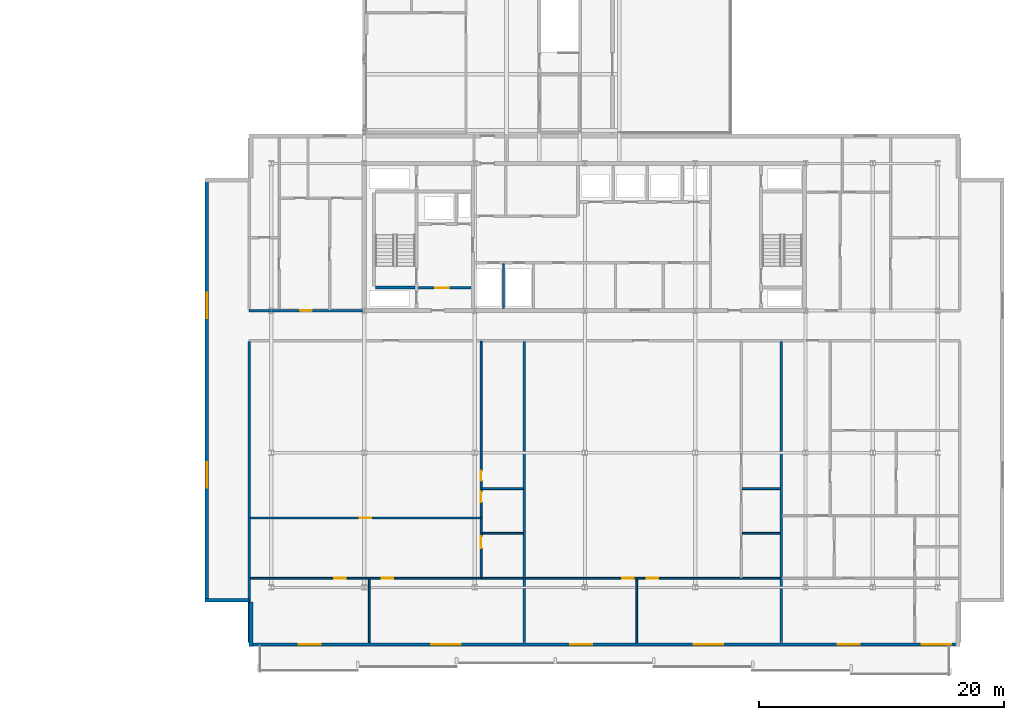
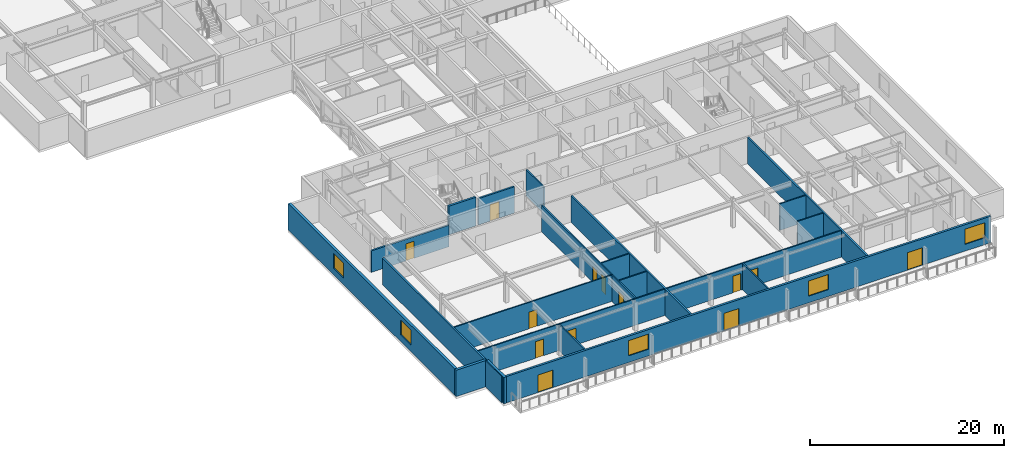
# One storey, part 11 of 28: 21 walls, 13 doors, 5 windows, 18 openings.
"""IFC4 building model written with IfcOpenShell, lengths in metres."""

from ifc_helpers import new_model, si_unit, direction, frame, frame_2d, origin, place, context, subcontext, project, spatial, rectangle, extrude, material, layer, layer_set, type_object, element, fill, save


model = new_model("IFC4")

# Units and contexts
model_context = context("Model", 3, precision=1e-05, world=origin(), true_north=direction((0.0, 1.0)))
body_context = subcontext(model_context, "Body", "Model", "MODEL_VIEW")
ifc_project = project(units=[si_unit("LENGTHUNIT", "METRE"), si_unit("AREAUNIT", "SQUARE_METRE"), si_unit("VOLUMEUNIT", "CUBIC_METRE"), si_unit("PLANEANGLEUNIT", "RADIAN"), si_unit("MASSUNIT", "GRAM", prefix="KILO")], contexts=[model_context])

# Site, building, storey
site_placement = place(None, origin())
site = spatial("IfcSite", under=ifc_project, at=site_placement, CompositionType="ELEMENT")
building_placement = place(site_placement, origin())
building = spatial("IfcBuilding", under=site, at=building_placement, Name="Korimba Cascade Residences", CompositionType="ELEMENT")
storey_placement = place(building_placement, frame((0.0, 0.0, 153.699951171875)))
storey = spatial("IfcBuildingStorey", under=building, at=storey_placement, Name="L44", CompositionType="ELEMENT", Elevation=153.699951171875)

# Wall, openings, doors, windows
ifc_material_1 = material(Name="Precast concrete C40/50", Category="concrete")
ifc_layer_1 = layer(ifc_material_1, 0.25)
ifc_layer_set_1 = layer_set([ifc_layer_1], Name="Precast concrete C40/50")
wall_type_1 = type_object("IfcWallType", Name="EW-LOG-250", PredefinedType="STANDARD", material=ifc_layer_set_1)
wall_1_placement = place(storey_placement, frame((72.699951171875, -8.85009765625, 0.0), z_axis=(0.0, 0.0, 1.0), x_axis=(1.0, 0.0, 0.0)))
wall_1 = element("IfcWall", 1, at=wall_1_placement, inside=storey, type_object=wall_type_1, Name="L44 T2 Perimeter Stone Wall E00", PredefinedType="STANDARD", context=body_context, shape_type="SweptSolid", body=[
    extrude(rectangle(XDim=58.0, YDim=0.25, at=frame_2d((29.0, 0.0))), origin(), (0.0, 0.0, 1.0), 3.320068359375),
])
opening_1_placement = place(wall_1_placement, frame((4.057861328125, 0.0, 0.0)))
opening_1 = element("IfcOpeningElement", 2, at=opening_1_placement, cuts=wall_1, Name="Opening D-LG1", PredefinedType="OPENING", context=body_context, shape_type="SweptSolid", body=[
    extrude(rectangle(XDim=1.800048828125, YDim=2.199951171875, at=frame_2d((0.89990234375, 1.10009765625))), frame((0.0, 0.135009765625, 0.0), z_axis=(0.0, -1.0, 0.0), x_axis=(1.0, 0.0, 0.0)), (0.0, 0.0, 1.0), 0.27001953125),
])
opening_2_placement = place(wall_1_placement, frame((14.853515625, 0.0, 0.85009765625)))
opening_2 = element("IfcOpeningElement", 3, at=opening_2_placement, cuts=wall_1, Name="Opening W-01", PredefinedType="OPENING", context=body_context, shape_type="SweptSolid", body=[
    extrude(rectangle(XDim=2.39990234375, YDim=1.89990234375, at=frame_2d((1.199951171875, 0.949951171875))), frame((0.0, 0.135009765625, 0.0), z_axis=(0.0, -1.0, 0.0), x_axis=(1.0, 0.0, 0.0)), (0.0, 0.0, 1.0), 0.27001953125),
])
opening_3_placement = place(wall_1_placement, frame((26.190673828125, 0.0, 0.0)))
opening_3 = element("IfcOpeningElement", 4, at=opening_3_placement, cuts=wall_1, Name="Opening D-LG1", PredefinedType="OPENING", context=body_context, shape_type="SweptSolid", body=[
    extrude(rectangle(XDim=1.800048828125, YDim=2.199951171875, at=frame_2d((0.89990234375, 1.10009765625))), frame((0.0, 0.135009765625, 0.0), z_axis=(0.0, -1.0, 0.0), x_axis=(1.0, 0.0, 0.0)), (0.0, 0.0, 1.0), 0.27001953125),
])
opening_4_placement = place(wall_1_placement, frame((36.27392578125, 0.0, 0.85009765625)))
opening_4 = element("IfcOpeningElement", 5, at=opening_4_placement, cuts=wall_1, Name="Opening W-01", PredefinedType="OPENING", context=body_context, shape_type="SweptSolid", body=[
    extrude(rectangle(XDim=2.39990234375, YDim=1.89990234375, at=frame_2d((1.199951171875, 0.949951171875))), frame((0.0, 0.135009765625, 0.0), z_axis=(0.0, -1.0, 0.0), x_axis=(1.0, 0.0, 0.0)), (0.0, 0.0, 1.0), 0.27001953125),
])
opening_5_placement = place(wall_1_placement, frame((48.0390625, 0.0, 0.0)))
opening_5 = element("IfcOpeningElement", 6, at=opening_5_placement, cuts=wall_1, Name="Opening D-LG1", PredefinedType="OPENING", context=body_context, shape_type="SweptSolid", body=[
    extrude(rectangle(XDim=1.800048828125, YDim=2.199951171875, at=frame_2d((0.89990234375, 1.10009765625))), frame((0.0, 0.135009765625, 0.0), z_axis=(0.0, -1.0, 0.0), x_axis=(1.0, 0.0, 0.0)), (0.0, 0.0, 1.0), 0.27001953125),
])
opening_6_placement = place(wall_1_placement, frame((54.89990234375, 0.0, 0.85009765625)))
opening_6 = element("IfcOpeningElement", 7, at=opening_6_placement, cuts=wall_1, Name="Opening W-01", PredefinedType="OPENING", context=body_context, shape_type="SweptSolid", body=[
    extrude(rectangle(XDim=2.39990234375, YDim=1.89990234375, at=frame_2d((1.199951171875, 0.949951171875))), frame((0.0, 0.135009765625, 0.0), z_axis=(0.0, -1.0, 0.0), x_axis=(1.0, 0.0, 0.0)), (0.0, 0.0, 1.0), 0.27001953125),
])
ifc_material_2 = material(Name="Glazed Aluminium Loggia Sliding Door", Category="aluminium")
door_type_1 = type_object("IfcDoorType", Name="DR-EXT-LOG", OperationType="NOTDEFINED", PredefinedType="DOOR", material=ifc_material_2)
door_1_placement = place(opening_1_placement, origin())
door_1 = element("IfcDoor", 8, at=door_1_placement, inside=storey, type_object=door_type_1, Name="L44 T2 Loggia Sliding Door 3", OperationType="SLIDING_TO_RIGHT", OverallHeight=2.199951171875, OverallWidth=1.800048828125, PredefinedType="DOOR", context=body_context, shape_type="SweptSolid", body=[
    extrude(rectangle(XDim=1.800048828125, YDim=2.199951171875, at=frame_2d((0.89990234375, 1.10009765625))), frame((0.0, 0.02490234375, 0.0), z_axis=(0.0, -1.0, 0.0), x_axis=(1.0, 0.0, 0.0)), (0.0, 0.0, 1.0), 0.050048828125),
])
fill(opening_1, door_1)
door_2_placement = place(opening_3_placement, origin())
door_2 = element("IfcDoor", 9, at=door_2_placement, inside=storey, type_object=door_type_1, Name="L44 T2 Loggia Sliding Door 5", OperationType="SLIDING_TO_RIGHT", OverallHeight=2.199951171875, OverallWidth=1.800048828125, PredefinedType="DOOR", context=body_context, shape_type="SweptSolid", body=[
    extrude(rectangle(XDim=1.800048828125, YDim=2.199951171875, at=frame_2d((0.89990234375, 1.10009765625))), frame((0.0, 0.02490234375, 0.0), z_axis=(0.0, -1.0, 0.0), x_axis=(1.0, 0.0, 0.0)), (0.0, 0.0, 1.0), 0.050048828125),
])
fill(opening_3, door_2)
door_3_placement = place(opening_5_placement, origin())
door_3 = element("IfcDoor", 10, at=door_3_placement, inside=storey, type_object=door_type_1, Name="L44 T2 Loggia Sliding Door 7", OperationType="SLIDING_TO_RIGHT", OverallHeight=2.199951171875, OverallWidth=1.800048828125, PredefinedType="DOOR", context=body_context, shape_type="SweptSolid", body=[
    extrude(rectangle(XDim=1.800048828125, YDim=2.199951171875, at=frame_2d((0.89990234375, 1.10009765625))), frame((0.0, 0.02490234375, 0.0), z_axis=(0.0, -1.0, 0.0), x_axis=(1.0, 0.0, 0.0)), (0.0, 0.0, 1.0), 0.050048828125),
])
fill(opening_5, door_3)
ifc_material_3 = material(Name="Double-Glazed Aluminium Window", Category="aluminium")
window_type_1 = type_object("IfcWindowType", Name="WIN-RES-2400", PartitioningType="DOUBLE_PANEL_VERTICAL", PredefinedType="WINDOW", material=ifc_material_3)
window_1_placement = place(opening_2_placement, origin())
window_1 = element("IfcWindow", 11, at=window_1_placement, inside=storey, type_object=window_type_1, Name="L44 T2 South Facade Window 4", OverallHeight=1.89990234375, OverallWidth=2.39990234375, PartitioningType="DOUBLE_PANEL_VERTICAL", PredefinedType="WINDOW", context=body_context, shape_type="SweptSolid", body=[
    extrude(rectangle(XDim=2.39990234375, YDim=1.89990234375, at=frame_2d((1.199951171875, 0.949951171875))), frame((0.0, 0.030029296875, 0.0), z_axis=(0.0, -1.0, 0.0), x_axis=(1.0, 0.0, 0.0)), (0.0, 0.0, 1.0), 0.06005859375),
])
fill(opening_2, window_1)
window_2_placement = place(opening_4_placement, origin())
window_2 = element("IfcWindow", 12, at=window_2_placement, inside=storey, type_object=window_type_1, Name="L44 T2 South Facade Window 6", OverallHeight=1.89990234375, OverallWidth=2.39990234375, PartitioningType="DOUBLE_PANEL_VERTICAL", PredefinedType="WINDOW", context=body_context, shape_type="SweptSolid", body=[
    extrude(rectangle(XDim=2.39990234375, YDim=1.89990234375, at=frame_2d((1.199951171875, 0.949951171875))), frame((0.0, 0.030029296875, 0.0), z_axis=(0.0, -1.0, 0.0), x_axis=(1.0, 0.0, 0.0)), (0.0, 0.0, 1.0), 0.06005859375),
])
fill(opening_4, window_2)
window_3_placement = place(opening_6_placement, origin())
window_3 = element("IfcWindow", 13, at=window_3_placement, inside=storey, type_object=window_type_1, Name="L44 T2 South Facade Window 8", OverallHeight=1.89990234375, OverallWidth=2.39990234375, PartitioningType="DOUBLE_PANEL_VERTICAL", PredefinedType="WINDOW", context=body_context, shape_type="SweptSolid", body=[
    extrude(rectangle(XDim=2.39990234375, YDim=1.89990234375, at=frame_2d((1.199951171875, 0.949951171875))), frame((0.0, 0.030029296875, 0.0), z_axis=(0.0, -1.0, 0.0), x_axis=(1.0, 0.0, 0.0)), (0.0, 0.0, 1.0), 0.06005859375),
])
fill(opening_6, window_3)

# Wall, openings, windows
ifc_layer_2 = layer(ifc_material_1, 0.300048828125)
ifc_layer_set_2 = layer_set([ifc_layer_2], Name="Precast concrete C40/50")
wall_type_2 = type_object("IfcWallType", Name="EW-STONE-300", PredefinedType="STANDARD", material=ifc_layer_set_2)
wall_2_placement = place(storey_placement, frame((69.25, 29.199951171875, 0.0), z_axis=(0.0, 0.0, 1.0), x_axis=(0.0, -1.0, 0.0)))
wall_2 = element("IfcWall", 14, at=wall_2_placement, inside=storey, type_object=wall_type_2, Name="L44 T2 Perimeter Stone Wall E09", PredefinedType="STANDARD", context=body_context, shape_type="SweptSolid", body=[
    extrude(rectangle(XDim=34.599853515625, YDim=0.300048828125, at=frame_2d((17.2998046875, 0.0))), origin(), (0.0, 0.0, 1.0), 3.320068359375),
])
opening_7_placement = place(wall_2_placement, frame((9.330078125, 0.0, 0.85009765625)))
opening_7 = element("IfcOpeningElement", 15, at=opening_7_placement, cuts=wall_2, Name="Opening W-03", PredefinedType="OPENING", context=body_context, shape_type="SweptSolid", body=[
    extrude(rectangle(XDim=2.10009765625, YDim=1.85009765625, at=frame_2d((1.050048828125, 0.925048828125))), frame((0.0, 0.16015625, 0.0), z_axis=(0.0, -1.0, 0.0), x_axis=(1.0, 0.0, 0.0)), (0.0, 0.0, 1.0), 0.320068359375),
])
opening_8_placement = place(wall_2_placement, frame((23.169921875, 0.0, 0.85009765625)))
opening_8 = element("IfcOpeningElement", 16, at=opening_8_placement, cuts=wall_2, Name="Opening W-03", PredefinedType="OPENING", context=body_context, shape_type="SweptSolid", body=[
    extrude(rectangle(XDim=2.10009765625, YDim=1.85009765625, at=frame_2d((1.050048828125, 0.925048828125))), frame((0.0, 0.16015625, 0.0), z_axis=(0.0, -1.0, 0.0), x_axis=(1.0, 0.0, 0.0)), (0.0, 0.0, 1.0), 0.320068359375),
])
window_type_2 = type_object("IfcWindowType", Name="WIN-CRN-2100", PartitioningType="DOUBLE_PANEL_HORIZONTAL", PredefinedType="WINDOW", material=ifc_material_3)
window_4_placement = place(opening_7_placement, origin())
window_4 = element("IfcWindow", 17, at=window_4_placement, inside=storey, type_object=window_type_2, Name="L44 T2 End View Window 9.1", OverallHeight=1.85009765625, OverallWidth=2.10009765625, PartitioningType="DOUBLE_PANEL_HORIZONTAL", PredefinedType="WINDOW", context=body_context, shape_type="SweptSolid", body=[
    extrude(rectangle(XDim=2.10009765625, YDim=1.85009765625, at=frame_2d((1.050048828125, 0.925048828125))), frame((0.0, 0.030029296875, 0.0), z_axis=(0.0, -1.0, 0.0), x_axis=(1.0, 0.0, 0.0)), (0.0, 0.0, 1.0), 0.06005859375),
])
fill(opening_7, window_4)
window_5_placement = place(opening_8_placement, origin())
window_5 = element("IfcWindow", 18, at=window_5_placement, inside=storey, type_object=window_type_2, Name="L44 T2 End View Window 9.2", OverallHeight=1.85009765625, OverallWidth=2.10009765625, PartitioningType="DOUBLE_PANEL_HORIZONTAL", PredefinedType="WINDOW", context=body_context, shape_type="SweptSolid", body=[
    extrude(rectangle(XDim=2.10009765625, YDim=1.85009765625, at=frame_2d((1.050048828125, 0.925048828125))), frame((0.0, 0.030029296875, 0.0), z_axis=(0.0, -1.0, 0.0), x_axis=(1.0, 0.0, 0.0)), (0.0, 0.0, 1.0), 0.06005859375),
])
fill(opening_8, window_5)

# Walls
wall_3_placement = place(storey_placement, frame((69.10009765625, -5.25, 0.0), z_axis=(0.0, 0.0, 1.0), x_axis=(1.0, 0.0, 0.0)))
element("IfcWall", 19, at=wall_3_placement, inside=storey, type_object=wall_type_2, Name="L44 T2 Perimeter Stone Wall E10", PredefinedType="STANDARD", context=body_context, shape_type="SweptSolid", body=[
    extrude(rectangle(XDim=3.599853515625, YDim=0.300048828125, at=frame_2d((1.7998046875, 0.0))), origin(), (0.0, 0.0, 1.0), 3.320068359375),
])
wall_4_placement = place(storey_placement, frame((72.85009765625, -5.39990234375, 0.0), z_axis=(0.0, 0.0, 1.0), x_axis=(0.0, -1.0, 0.0)))
element("IfcWall", 20, at=wall_4_placement, inside=storey, type_object=wall_type_2, Name="L44 T2 Perimeter Stone Wall E11", PredefinedType="STANDARD", context=body_context, shape_type="SweptSolid", body=[
    extrude(rectangle(XDim=3.60009765625, YDim=0.300048828125, at=frame_2d((1.800048828125, 0.0))), origin(), (0.0, 0.0, 1.0), 3.320068359375),
])

# Wall, opening, door
ifc_layer_3 = layer(ifc_material_1, 0.199951171875)
ifc_layer_set_3 = layer_set([ifc_layer_3], Name="Precast concrete C40/50")
wall_type_3 = type_object("IfcWallType", Name="WAL-IT-200", PredefinedType="PARTITIONING", material=ifc_layer_set_3)
wall_5_placement = place(storey_placement, frame((72.699951171875, 18.39990234375, 0.0), z_axis=(0.0, 0.0, 1.0), x_axis=(1.0, 0.0, 0.0)))
wall_5 = element("IfcWall", 21, at=wall_5_placement, inside=storey, type_object=wall_type_3, Name="L44 Partition Wall WAL-L44-T2-FW-S", PredefinedType="PARTITIONING", context=body_context, shape_type="SweptSolid", body=[
    extrude(rectangle(XDim=9.25, YDim=0.199951171875, at=frame_2d((4.625, 0.0))), origin(), (0.0, 0.0, 1.0), 2.707763671875),
])
opening_9_placement = place(wall_5_placement, frame((4.14990234375, 0.0, 0.0)))
opening_9 = element("IfcOpeningElement", 22, at=opening_9_placement, cuts=wall_5, Name="Opening D-UN1", PredefinedType="OPENING", context=body_context, shape_type="SweptSolid", body=[
    extrude(rectangle(XDim=0.949951171875, YDim=2.14990234375, at=frame_2d((0.47509765625, 1.074951171875))), frame((0.0, 0.10986328125, 0.0), z_axis=(0.0, -1.0, 0.0), x_axis=(1.0, 0.0, 0.0)), (0.0, 0.0, 1.0), 0.219970703125),
])
ifc_material_4 = material(Name="Fire-Rated Hardwood Apartment Entrance Door", Category="wood")
door_type_2 = type_object("IfcDoorType", Name="DR-FD60-950", OperationType="NOTDEFINED", PredefinedType="DOOR", material=ifc_material_4)
door_4_placement = place(opening_9_placement, origin())
door_4 = element("IfcDoor", 23, at=door_4_placement, inside=storey, type_object=door_type_2, Name="L44-T2-FW Entrance Door", OperationType="SINGLE_SWING_RIGHT", OverallHeight=2.14990234375, OverallWidth=0.949951171875, PredefinedType="DOOR", context=body_context, shape_type="SweptSolid", body=[
    extrude(rectangle(XDim=0.949951171875, YDim=2.14990234375, at=frame_2d((0.47509765625, 1.074951171875))), frame((0.0, 0.02490234375, 0.0), z_axis=(0.0, -1.0, 0.0), x_axis=(1.0, 0.0, 0.0)), (0.0, 0.0, 1.0), 0.050048828125),
])
fill(opening_9, door_4)

# Walls
for number, where, z_axis, x_axis, name in (
    (24, (72.699951171875, -8.699951171875, 0.0), (0.0, 0.0, 1.0), (0.0, 1.0, 0.0), "L44 Partition Wall WAL-L44-T2-BNDWL"),
    (25, (95.131591796875, -8.699951171875, 0.0), (0.0, 0.0, 1.0), (0.0, 1.0, 0.0), "L44 Partition Wall WAL-L44-T2-DEM-1"),
    (26, (116.137939453125, -8.699951171875, 0.0), (0.0, 0.0, 1.0), (0.0, 1.0, 0.0), "L44 Partition Wall WAL-L44-T2-DEM-2"),
):
    element("IfcWall", number, at=place(storey_placement, frame(where, z_axis=z_axis, x_axis=x_axis)), inside=storey, type_object=wall_type_3, Name=name, PredefinedType="PARTITIONING", context=body_context, shape_type="SweptSolid", body=[
        extrude(rectangle(XDim=24.570068359375, YDim=0.199951171875, at=frame_2d((12.28515625, 0.0))), origin(), (0.0, 0.0, 1.0), 3.320068359375),
    ])
ifc_material_5 = material(Name="Insulated Acoustic Stud Partition", Category="gypsum")
ifc_layer_4 = layer(ifc_material_5, 0.14990234375)
ifc_layer_set_4 = layer_set([ifc_layer_4], Name="Insulated Acoustic Stud Partition")
wall_type_4 = type_object("IfcWallType", Name="WAL-PART-150", PredefinedType="PARTITIONING", material=ifc_layer_set_4)
wall_6_placement = place(storey_placement, frame((93.449951171875, 18.60009765625, 0.0), z_axis=(0.0, 0.0, 1.0), x_axis=(0.0, 1.0, 0.0)))
element("IfcWall", 27, at=wall_6_placement, inside=storey, type_object=wall_type_4, Name="L44 Partition Wall CW-L44-T2-ERDIV", PredefinedType="PARTITIONING", context=body_context, shape_type="SweptSolid", body=[
    extrude(rectangle(XDim=3.599853515625, YDim=0.14990234375, at=frame_2d((1.7998046875, 0.0))), origin(), (0.0, 0.0, 1.0), 3.320068359375),
])

# Wall, opening, door
wall_7_placement = place(storey_placement, frame((72.780029296875, 1.469970703125, 0.0), z_axis=(0.0, 0.0, 1.0), x_axis=(1.0, 0.0, 0.0)))
wall_7 = element("IfcWall", 28, at=wall_7_placement, inside=storey, type_object=wall_type_4, Name="L44 Partition Wall WAL-L44-T2-U01-CARH", PredefinedType="PARTITIONING", context=body_context, shape_type="SweptSolid", body=[
    extrude(rectangle(XDim=18.8115234375, YDim=0.14990234375, at=frame_2d((9.40576171875, 0.0))), origin(), (0.0, 0.0, 1.0), 3.320068359375),
])
opening_10_placement = place(wall_7_placement, frame((8.935791015625, 0.0, 0.0)))
opening_10 = element("IfcOpeningElement", 29, at=opening_10_placement, cuts=wall_7, Name="Opening D-IN0", PredefinedType="OPENING", context=body_context, shape_type="SweptSolid", body=[
    extrude(rectangle(XDim=0.93994140625, YDim=2.10009765625, at=frame_2d((0.469970703125, 1.050048828125))), frame((0.0, 0.0849609375, 0.0), z_axis=(0.0, -1.0, 0.0), x_axis=(1.0, 0.0, 0.0)), (0.0, 0.0, 1.0), 0.169921875),
])
ifc_material_6 = material(Name="Acoustic Timber Living Archway Door", Category="wood")
door_type_3 = type_object("IfcDoorType", Name="DR-INT-950", OperationType="NOTDEFINED", PredefinedType="DOOR", material=ifc_material_6)
door_5_placement = place(opening_10_placement, origin())
door_5 = element("IfcDoor", 30, at=door_5_placement, inside=storey, type_object=door_type_3, Name="L44-T2-U01 Wellness Clinic Foyer Door", OperationType="SINGLE_SWING_LEFT", OverallHeight=2.10009765625, OverallWidth=0.93994140625, PredefinedType="DOOR", context=body_context, shape_type="SweptSolid", body=[
    extrude(rectangle(XDim=0.93994140625, YDim=2.10009765625, at=frame_2d((0.469970703125, 1.050048828125))), frame((0.0, 0.02490234375, 0.0), z_axis=(0.0, -1.0, 0.0), x_axis=(1.0, 0.0, 0.0)), (0.0, 0.0, 1.0), 0.050048828125),
])
fill(opening_10, door_5)

# Walls
for number, where, z_axis, x_axis, name in (
    (31, (91.69140625, 0.219970703125, 0.0), (0.0, 0.0, 1.0), (1.0, 0.0, 0.0), "L44 Partition Wall WAL-L44-T2-U01-WCH"),
    (32, (91.69140625, 3.8701171875, 0.0), (0.0, 0.0, 1.0), (1.0, 0.0, 0.0), "L44 Partition Wall WAL-L44-T2-U01-WCH2"),
):
    element("IfcWall", number, at=place(storey_placement, frame(where, z_axis=z_axis, x_axis=x_axis)), inside=storey, type_object=wall_type_4, Name=name, PredefinedType="PARTITIONING", context=body_context, shape_type="SweptSolid", body=[
        extrude(rectangle(XDim=3.360107421875, YDim=0.14990234375, at=frame_2d((1.68017578125, 0.0))), origin(), (0.0, 0.0, 1.0), 3.320068359375),
    ])

# Wall, openings, doors
wall_8_placement = place(storey_placement, frame((91.631591796875, -3.389892578125, 0.0), z_axis=(0.0, 0.0, 1.0), x_axis=(0.0, 1.0, 0.0)))
wall_8 = element("IfcWall", 33, at=wall_8_placement, inside=storey, type_object=wall_type_4, Name="L44 Partition Wall WAL-L44-T2-U01-WCV", PredefinedType="PARTITIONING", context=body_context, shape_type="SweptSolid", body=[
    extrude(rectangle(XDim=19.27978515625, YDim=0.14990234375, at=frame_2d((9.639892578125, 0.0))), origin(), (0.0, 0.0, 1.0), 3.320068359375),
])
opening_11_placement = place(wall_8_placement, frame((2.406005859375, 0.0, 0.0)))
opening_11 = element("IfcOpeningElement", 34, at=opening_11_placement, cuts=wall_8, Name="Opening D-AC1", PredefinedType="OPENING", context=body_context, shape_type="SweptSolid", body=[
    extrude(rectangle(XDim=0.9599609375, YDim=2.10009765625, at=frame_2d((0.47998046875, 1.050048828125))), frame((0.0, 0.0849609375, 0.0), z_axis=(0.0, -1.0, 0.0), x_axis=(1.0, 0.0, 0.0)), (0.0, 0.0, 1.0), 0.169921875),
])
opening_12_placement = place(wall_8_placement, frame((6.132568359375, 0.0, 0.0)))
opening_12 = element("IfcOpeningElement", 35, at=opening_12_placement, cuts=wall_8, Name="Opening D-IN2", PredefinedType="OPENING", context=body_context, shape_type="SweptSolid", body=[
    extrude(rectangle(XDim=0.8798828125, YDim=2.06005859375, at=frame_2d((0.43994140625, 1.030029296875))), frame((0.0, 0.0849609375, 0.0), z_axis=(0.0, -1.0, 0.0), x_axis=(1.0, 0.0, 0.0)), (0.0, 0.0, 1.0), 0.169921875),
])
opening_13_placement = place(wall_8_placement, frame((7.888916015625, 0.0, 0.0)))
opening_13 = element("IfcOpeningElement", 36, at=opening_13_placement, cuts=wall_8, Name="Opening D-BT1", PredefinedType="OPENING", context=body_context, shape_type="SweptSolid", body=[
    extrude(rectangle(XDim=0.840087890625, YDim=2.0400390625, at=frame_2d((0.419921875, 1.02001953125))), frame((0.0, 0.0849609375, 0.0), z_axis=(0.0, -1.0, 0.0), x_axis=(1.0, 0.0, 0.0)), (0.0, 0.0, 1.0), 0.169921875),
])
ifc_material_7 = material(Name="Accessible Acoustic Timber WC Door", Category="wood")
door_type_4 = type_object("IfcDoorType", Name="DR-ACC-950", OperationType="NOTDEFINED", PredefinedType="DOOR", material=ifc_material_7)
door_6_placement = place(opening_11_placement, origin())
door_6 = element("IfcDoor", 37, at=door_6_placement, inside=storey, type_object=door_type_4, Name="L44-T2-U01 Accessible WC Door", OperationType="SINGLE_SWING_RIGHT", OverallHeight=2.10009765625, OverallWidth=0.9599609375, PredefinedType="DOOR", context=body_context, shape_type="SweptSolid", body=[
    extrude(rectangle(XDim=0.9599609375, YDim=2.10009765625, at=frame_2d((0.47998046875, 1.050048828125))), frame((0.0, 0.02490234375, 0.0), z_axis=(0.0, -1.0, 0.0), x_axis=(1.0, 0.0, 0.0)), (0.0, 0.0, 1.0), 0.050048828125),
])
fill(opening_11, door_6)
ifc_material_8 = material(Name="Moisture-Resistant Bathroom Timber Door", Category="wood")
door_type_5 = type_object("IfcDoorType", Name="DR-INT-850", OperationType="NOTDEFINED", PredefinedType="DOOR", material=ifc_material_8)
door_7_placement = place(opening_13_placement, origin())
door_7 = element("IfcDoor", 38, at=door_7_placement, inside=storey, type_object=door_type_5, Name="L44-T2-U01 Suite Store Door", OperationType="SINGLE_SWING_RIGHT", OverallHeight=2.0400390625, OverallWidth=0.840087890625, PredefinedType="DOOR", context=body_context, shape_type="SweptSolid", body=[
    extrude(rectangle(XDim=0.840087890625, YDim=2.0400390625, at=frame_2d((0.419921875, 1.02001953125))), frame((0.0, 0.02490234375, 0.0), z_axis=(0.0, -1.0, 0.0), x_axis=(1.0, 0.0, 0.0)), (0.0, 0.0, 1.0), 0.050048828125),
])
fill(opening_13, door_7)
ifc_material_9 = material(Name="Acoustic Timber Bedroom Door", Category="wood")
door_type_6 = type_object("IfcDoorType", Name="DR-INT-880", OperationType="NOTDEFINED", PredefinedType="DOOR", material=ifc_material_9)
door_8_placement = place(opening_12_placement, origin())
door_8 = element("IfcDoor", 39, at=door_8_placement, inside=storey, type_object=door_type_6, Name="L44-T2-U01 Restroom WC Door", OperationType="SINGLE_SWING_LEFT", OverallHeight=2.06005859375, OverallWidth=0.8798828125, PredefinedType="DOOR", context=body_context, shape_type="SweptSolid", body=[
    extrude(rectangle(XDim=0.8798828125, YDim=2.06005859375, at=frame_2d((0.43994140625, 1.030029296875))), frame((0.0, 0.02490234375, 0.0), z_axis=(0.0, -1.0, 0.0), x_axis=(1.0, 0.0, 0.0)), (0.0, 0.0, 1.0), 0.050048828125),
])
fill(opening_12, door_8)

# Wall
wall_9_placement = place(storey_placement, frame((82.495849609375, -8.699951171875, 0.0), z_axis=(0.0, 0.0, 1.0), x_axis=(0.0, 1.0, 0.0)))
element("IfcWall", 40, at=wall_9_placement, inside=storey, type_object=wall_type_4, Name="L44 Partition Wall WAL-L44-T2-U01-OUTV", PredefinedType="PARTITIONING", context=body_context, shape_type="SweptSolid", body=[
    extrude(rectangle(XDim=5.169921875, YDim=0.14990234375, at=frame_2d((2.5849609375, 0.0))), origin(), (0.0, 0.0, 1.0), 3.320068359375),
])

# Wall, openings, doors
wall_10_placement = place(storey_placement, frame((72.780029296875, -3.449951171875, 0.0), z_axis=(0.0, 0.0, 1.0), x_axis=(1.0, 0.0, 0.0)))
wall_10 = element("IfcWall", 41, at=wall_10_placement, inside=storey, type_object=wall_type_4, Name="L44 Partition Wall WAL-L44-T2-U01-HZ", PredefinedType="PARTITIONING", context=body_context, shape_type="SweptSolid", body=[
    extrude(rectangle(XDim=22.271484375, YDim=0.14990234375, at=frame_2d((11.1357421875, 0.0))), origin(), (0.0, 0.0, 1.0), 3.320068359375),
])
opening_14_placement = place(wall_10_placement, frame((6.87060546875, 0.0, 0.0)))
opening_14 = element("IfcOpeningElement", 42, at=opening_14_placement, cuts=wall_10, Name="Opening D-IN0", PredefinedType="OPENING", context=body_context, shape_type="SweptSolid", body=[
    extrude(rectangle(XDim=0.93994140625, YDim=2.10009765625, at=frame_2d((0.469970703125, 1.050048828125))), frame((0.0, 0.0849609375, 0.0), z_axis=(0.0, -1.0, 0.0), x_axis=(1.0, 0.0, 0.0)), (0.0, 0.0, 1.0), 0.169921875),
])
opening_15_placement = place(wall_10_placement, frame((10.7353515625, 0.0, 0.0)))
opening_15 = element("IfcOpeningElement", 43, at=opening_15_placement, cuts=wall_10, Name="Opening D-IN0", PredefinedType="OPENING", context=body_context, shape_type="SweptSolid", body=[
    extrude(rectangle(XDim=0.93994140625, YDim=2.10009765625, at=frame_2d((0.469970703125, 1.050048828125))), frame((0.0, 0.0849609375, 0.0), z_axis=(0.0, -1.0, 0.0), x_axis=(1.0, 0.0, 0.0)), (0.0, 0.0, 1.0), 0.169921875),
])
door_9_placement = place(opening_14_placement, origin())
door_9 = element("IfcDoor", 44, at=door_9_placement, inside=storey, type_object=door_type_3, Name="L44-T2-U01 Hydrotherapy Wellness Clinic Door", OperationType="SINGLE_SWING_LEFT", OverallHeight=2.10009765625, OverallWidth=0.93994140625, PredefinedType="DOOR", context=body_context, shape_type="SweptSolid", body=[
    extrude(rectangle(XDim=0.93994140625, YDim=2.10009765625, at=frame_2d((0.469970703125, 1.050048828125))), frame((0.0, 0.02490234375, 0.0), z_axis=(0.0, -1.0, 0.0), x_axis=(1.0, 0.0, 0.0)), (0.0, 0.0, 1.0), 0.050048828125),
])
fill(opening_14, door_9)
door_10_placement = place(opening_15_placement, origin())
door_10 = element("IfcDoor", 45, at=door_10_placement, inside=storey, type_object=door_type_3, Name="L44-T2-U01 Physiotherapy Treatment Room Door", OperationType="SINGLE_SWING_RIGHT", OverallHeight=2.10009765625, OverallWidth=0.93994140625, PredefinedType="DOOR", context=body_context, shape_type="SweptSolid", body=[
    extrude(rectangle(XDim=0.93994140625, YDim=2.10009765625, at=frame_2d((0.469970703125, 1.050048828125))), frame((0.0, 0.02490234375, 0.0), z_axis=(0.0, -1.0, 0.0), x_axis=(1.0, 0.0, 0.0)), (0.0, 0.0, 1.0), 0.050048828125),
])
fill(opening_15, door_10)

# Walls
for number, where, z_axis, x_axis, name in (
    (46, (112.927978515625, 0.219970703125, 0.0), (0.0, 0.0, 1.0), (1.0, 0.0, 0.0), "L44 Partition Wall WAL-L44-T2-U02-WCH"),
    (47, (112.927978515625, 3.8701171875, 0.0), (0.0, 0.0, 1.0), (1.0, 0.0, 0.0), "L44 Partition Wall WAL-L44-T2-U02-WCH2"),
):
    element("IfcWall", number, at=place(storey_placement, frame(where, z_axis=z_axis, x_axis=x_axis)), inside=storey, type_object=wall_type_4, Name=name, PredefinedType="PARTITIONING", context=body_context, shape_type="SweptSolid", body=[
        extrude(rectangle(XDim=3.130126953125, YDim=0.14990234375, at=frame_2d((1.56494140625, 0.0))), origin(), (0.0, 0.0, 1.0), 3.320068359375),
    ])
wall_11_placement = place(storey_placement, frame((104.32958984375, -8.699951171875, 0.0), z_axis=(0.0, 0.0, 1.0), x_axis=(0.0, 1.0, 0.0)))
element("IfcWall", 48, at=wall_11_placement, inside=storey, type_object=wall_type_4, Name="L44 Partition Wall WAL-L44-T2-U02-OUTV", PredefinedType="PARTITIONING", context=body_context, shape_type="SweptSolid", body=[
    extrude(rectangle(XDim=5.169921875, YDim=0.14990234375, at=frame_2d((2.5849609375, 0.0))), origin(), (0.0, 0.0, 1.0), 3.320068359375),
])

# Wall, openings, doors
wall_12_placement = place(storey_placement, frame((95.21142578125, -3.449951171875, 0.0), z_axis=(0.0, 0.0, 1.0), x_axis=(1.0, 0.0, 0.0)))
wall_12 = element("IfcWall", 49, at=wall_12_placement, inside=storey, type_object=wall_type_4, Name="L44 Partition Wall WAL-L44-T2-U02-HZ", PredefinedType="PARTITIONING", context=body_context, shape_type="SweptSolid", body=[
    extrude(rectangle(XDim=20.8466796875, YDim=0.14990234375, at=frame_2d((10.42333984375, 0.0))), origin(), (0.0, 0.0, 1.0), 3.320068359375),
])
opening_16_placement = place(wall_12_placement, frame((7.92822265625, 0.0, 0.0)))
opening_16 = element("IfcOpeningElement", 50, at=opening_16_placement, cuts=wall_12, Name="Opening D-IN0", PredefinedType="OPENING", context=body_context, shape_type="SweptSolid", body=[
    extrude(rectangle(XDim=0.93994140625, YDim=2.10009765625, at=frame_2d((0.469970703125, 1.050048828125))), frame((0.0, 0.0849609375, 0.0), z_axis=(0.0, -1.0, 0.0), x_axis=(1.0, 0.0, 0.0)), (0.0, 0.0, 1.0), 0.169921875),
])
opening_17_placement = place(wall_12_placement, frame((9.953369140625, 0.0, 0.0)))
opening_17 = element("IfcOpeningElement", 51, at=opening_17_placement, cuts=wall_12, Name="Opening D-IN0", PredefinedType="OPENING", context=body_context, shape_type="SweptSolid", body=[
    extrude(rectangle(XDim=0.93994140625, YDim=2.10009765625, at=frame_2d((0.469970703125, 1.050048828125))), frame((0.0, 0.0849609375, 0.0), z_axis=(0.0, -1.0, 0.0), x_axis=(1.0, 0.0, 0.0)), (0.0, 0.0, 1.0), 0.169921875),
])
door_11_placement = place(opening_16_placement, origin())
door_11 = element("IfcDoor", 52, at=door_11_placement, inside=storey, type_object=door_type_3, Name="L44-T2-U02 Fitness Pilates Gym Door", OperationType="SINGLE_SWING_RIGHT", OverallHeight=2.10009765625, OverallWidth=0.93994140625, PredefinedType="DOOR", context=body_context, shape_type="SweptSolid", body=[
    extrude(rectangle(XDim=0.93994140625, YDim=2.10009765625, at=frame_2d((0.469970703125, 1.050048828125))), frame((0.0, 0.02490234375, 0.0), z_axis=(0.0, -1.0, 0.0), x_axis=(1.0, 0.0, 0.0)), (0.0, 0.0, 1.0), 0.050048828125),
])
fill(opening_16, door_11)
door_12_placement = place(opening_17_placement, origin())
door_12 = element("IfcDoor", 53, at=door_12_placement, inside=storey, type_object=door_type_3, Name="L44-T2-U02 Private Screening Cinema Door", OperationType="SINGLE_SWING_LEFT", OverallHeight=2.10009765625, OverallWidth=0.93994140625, PredefinedType="DOOR", context=body_context, shape_type="SweptSolid", body=[
    extrude(rectangle(XDim=0.93994140625, YDim=2.10009765625, at=frame_2d((0.469970703125, 1.050048828125))), frame((0.0, 0.02490234375, 0.0), z_axis=(0.0, -1.0, 0.0), x_axis=(1.0, 0.0, 0.0)), (0.0, 0.0, 1.0), 0.050048828125),
])
fill(opening_17, door_12)

# Wall, opening, door
ifc_material_10 = material(Name="Concrete C40/50", Category="concrete")
ifc_layer_5 = layer(ifc_material_10, 0.199951171875)
ifc_layer_set_5 = layer_set([ifc_layer_5], Name="Concrete C40/50")
wall_type_5 = type_object("IfcWallType", Name="WAL-PART-200", PredefinedType="PARTITIONING", material=ifc_layer_set_5)
wall_13_placement = place(storey_placement, frame((86.5, 20.25, 0.0), z_axis=(0.0, 0.0, 1.0), x_axis=(1.0, 0.0, 0.0)))
wall_13 = element("IfcWall", 54, at=wall_13_placement, inside=storey, type_object=wall_type_5, Name="L44 Partition Wall CW-L44-T2-FFLS", PredefinedType="PARTITIONING", context=body_context, shape_type="SweptSolid", body=[
    extrude(rectangle(XDim=4.320068359375, YDim=0.199951171875, at=frame_2d((2.16015625, 0.0))), origin(), (0.0, 0.0, 1.0), 3.320068359375),
])
opening_18_placement = place(wall_13_placement, frame((1.39990234375, 0.0, 0.0)))
opening_18 = element("IfcOpeningElement", 55, at=opening_18_placement, cuts=wall_13, Name="Opening D-FD1", PredefinedType="OPENING", context=body_context, shape_type="SweptSolid", body=[
    extrude(rectangle(XDim=1.10009765625, YDim=2.10009765625, at=frame_2d((0.550048828125, 1.050048828125))), frame((0.0, 0.10986328125, 0.0), z_axis=(0.0, -1.0, 0.0), x_axis=(1.0, 0.0, 0.0)), (0.0, 0.0, 1.0), 0.219970703125),
])
ifc_material_11 = material(Name="Fire-Rated Steel Core Door", Category="steel")
door_type_7 = type_object("IfcDoorType", Name="DR-FD120-1100", OperationType="NOTDEFINED", PredefinedType="DOOR", material=ifc_material_11)
door_13_placement = place(opening_18_placement, origin())
door_13 = element("IfcDoor", 56, at=door_13_placement, inside=storey, type_object=door_type_7, Name="L44 T2 Firefighting Lobby Door", OperationType="SINGLE_SWING_RIGHT", OverallHeight=2.10009765625, OverallWidth=1.10009765625, PredefinedType="DOOR", context=body_context, shape_type="SweptSolid", body=[
    extrude(rectangle(XDim=1.10009765625, YDim=2.10009765625, at=frame_2d((0.550048828125, 1.050048828125))), frame((0.0, 0.02490234375, 0.0), z_axis=(0.0, -1.0, 0.0), x_axis=(1.0, 0.0, 0.0)), (0.0, 0.0, 1.0), 0.050048828125),
])
fill(opening_18, door_13)

# Wall
ifc_material_12 = material(Name="Concrete C50/60", Category="concrete")
ifc_layer_6 = layer(ifc_material_12, 0.25)
ifc_layer_set_6 = layer_set([ifc_layer_6], Name="Concrete C50/60")
wall_type_6 = type_object("IfcWallType", Name="WAL-SHAFT-250", PredefinedType="SHEAR", material=ifc_layer_set_6)
wall_14_placement = place(storey_placement, frame((83.0, 20.27490234375, 0.0), z_axis=(0.0, 0.0, 1.0), x_axis=(1.0, 0.0, 0.0)))
element("IfcWall", 57, at=wall_14_placement, inside=storey, type_object=wall_type_6, Name="L44 Core Shear Wall CW-L44-T2-STE1S", PredefinedType="SHEAR", context=body_context, shape_type="SweptSolid", body=[
    extrude(rectangle(XDim=3.239990234375, YDim=0.25, at=frame_2d((1.6201171875, 0.0))), origin(), (0.0, 0.0, 1.0), 3.60009765625),
])

save(model, "model.ifc")
